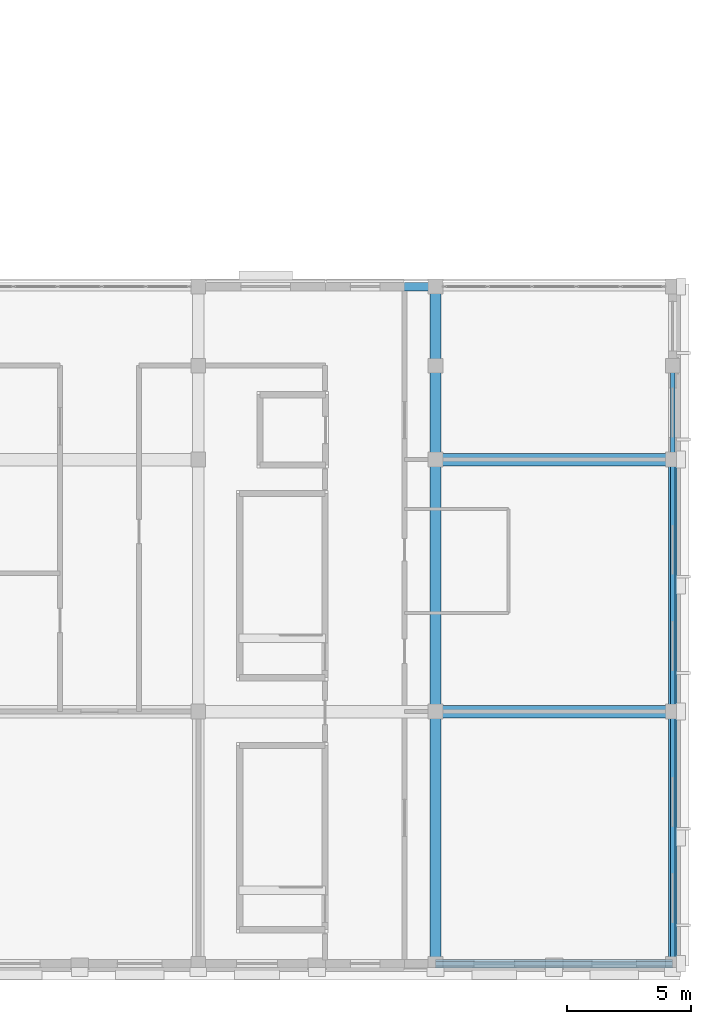
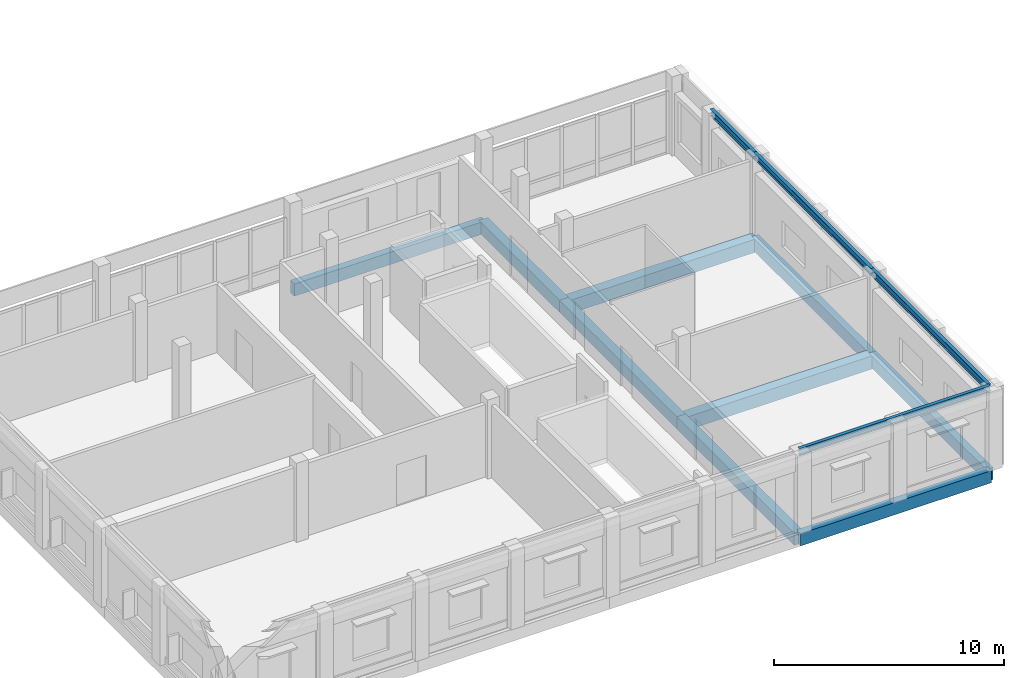
# One storey, part 59 of 93: 13 beams.
"""IFC4 building model written with IfcOpenShell, lengths in metres."""

import ifcopenshell
import ifcopenshell.guid

model = None  # the IFC model being written
_history = None  # IfcOwnerHistory: only IFC2X3 demands one
_inside = {}  # id of a spatial element -> (the spatial element, [elements in it])
_under = {}  # id of a project, library or spatial element -> (it, [spatial elements below it])
_declared = {}  # id of a project -> (the project, [libraries it declares])
_typed = {}  # id of a type object -> (the type object, [elements of that type])
_made_of = {}  # id of a material, layer set ... -> (it, [elements and type objects made of it])


def new_model(schema):
    """Start an empty IFC model of exactly this schema.

    Asked for "IFC4X3", IfcOpenShell would pick the latest addendum, in which some entities
    have other attributes; the version numbers below select the first issue.
    IFC2X3 requires an IfcOwnerHistory on every rooted entity: one is made here for all.
    """
    global model, _history
    if schema == "IFC4X3":
        model = ifcopenshell.file(schema_version=(4, 3, 0, 0))
    else:
        model = ifcopenshell.file(schema=schema)
    _inside.clear()
    _under.clear()
    _declared.clear()
    _typed.clear()
    _made_of.clear()
    _history = None
    if model.schema == "IFC2X3":
        org = make("IfcOrganization", Name="unknown")
        user = make(
            "IfcPersonAndOrganization",
            ThePerson=make("IfcPerson", FamilyName="unknown"),
            TheOrganization=org,
        )
        app = make(
            "IfcApplication",
            ApplicationDeveloper=org,
            Version="unknown",
            ApplicationFullName="unknown",
            ApplicationIdentifier="unknown",
        )
        _history = make(
            "IfcOwnerHistory",
            OwningUser=user,
            OwningApplication=app,
            ChangeAction="ADDED",
            CreationDate=0,
        )
    return model


def make(cls, **values):
    """One entity of the class cls with the attributes given. An attribute that is None is left unset."""
    return model.create_entity(
        cls, **{name: value for name, value in values.items() if value is not None}
    )


def rooted(cls, **values):
    """An entity with a GlobalId (a new one), such as an element, a storey or a relation."""
    return make(cls, GlobalId=ifcopenshell.guid.new(), OwnerHistory=_history, **values)


def si_unit(unit_type, name, prefix=None):
    """IfcSIUnit, for example si_unit("LENGTHUNIT", "METRE", prefix="MILLI")."""
    return make("IfcSIUnit", UnitType=unit_type, Prefix=prefix, Name=name)


def assignment(units):
    """IfcUnitAssignment: the units of a project."""
    return None if units is None else make("IfcUnitAssignment", Units=units)


def point(xyz):
    """IfcCartesianPoint."""
    return None if xyz is None else make("IfcCartesianPoint", Coordinates=xyz)


def direction(xyz):
    """IfcDirection."""
    return None if xyz is None else make("IfcDirection", DirectionRatios=xyz)


def frame(location, z_axis=None, x_axis=None):
    """IfcAxis2Placement3D, a coordinate frame: its origin and axes. An axis left out is left unset."""
    return make(
        "IfcAxis2Placement3D",
        Location=point(location),
        Axis=direction(z_axis),
        RefDirection=direction(x_axis),
    )


def frame_2d(location, x_axis=None):
    """IfcAxis2Placement2D, a coordinate frame in the plane: its origin and x axis."""
    return make(
        "IfcAxis2Placement2D", Location=point(location), RefDirection=direction(x_axis)
    )


def origin():
    """The frame at (0, 0, 0) with its axes left unset."""
    return frame((0.0, 0.0, 0.0))


def origin_2d():
    """The frame at (0, 0) in the plane with its x axis left unset."""
    return frame_2d((0.0, 0.0))


def place(relative_to, where):
    """IfcLocalPlacement: puts the frame where relative to a parent placement (None: the world)."""
    return make(
        "IfcLocalPlacement", PlacementRelTo=relative_to, RelativePlacement=where
    )


def context(
    kind, dimensions, precision=None, world=None, true_north=None, identifier=None
):
    """IfcGeometricRepresentationContext, for example the 3D "Model" context."""
    return make(
        "IfcGeometricRepresentationContext",
        ContextIdentifier=identifier,
        ContextType=kind,
        CoordinateSpaceDimension=dimensions,
        Precision=precision,
        WorldCoordinateSystem=world,
        TrueNorth=true_north,
    )


def subcontext(parent, identifier, kind, view, scale=None):
    """IfcGeometricRepresentationSubContext, for example "Body" below "Model"."""
    return make(
        "IfcGeometricRepresentationSubContext",
        ContextIdentifier=identifier,
        ContextType=kind,
        ParentContext=parent,
        TargetScale=scale,
        TargetView=view,
    )


def project(units=None, contexts=None):
    """IfcProject with its units and contexts."""
    return rooted(
        "IfcProject",
        Name="project",
        RepresentationContexts=contexts,
        UnitsInContext=assignment(units),
    )


def spatial(cls, under=None, at=None, **own):
    """A site, building, storey or space (cls), placed at a placement, below another one or the project."""
    s = rooted(cls, ObjectPlacement=at, **own)
    if under is not None:
        _under.setdefault(under.id(), (under, []))[1].append(s)
    return s


def profile(cls, at=None, kind="AREA", **sizes):
    """A parametric profile (cls). Its sizes go by their IFC names, for example OverallWidth=200.0."""
    return make(cls, ProfileType=kind, Position=at, **sizes)


def rectangle(**sizes):
    """IfcRectangleProfileDef."""
    return profile("IfcRectangleProfileDef", **sizes)


def i_section(**sizes):
    """IfcIShapeProfileDef."""
    return profile("IfcIShapeProfileDef", **sizes)


def extrude(swept, where, along, depth):
    """IfcExtrudedAreaSolid: the profile swept, set in the frame where, extruded along a direction by depth."""
    return make(
        "IfcExtrudedAreaSolid",
        SweptArea=swept,
        Position=where,
        ExtrudedDirection=direction(along),
        Depth=depth,
    )


def shape(context_of_items, identifier, shape_type, items):
    """IfcShapeRepresentation: the items that make up one representation, for example the "Body"."""
    return make(
        "IfcShapeRepresentation",
        ContextOfItems=context_of_items,
        RepresentationIdentifier=identifier,
        RepresentationType=shape_type,
        Items=items,
    )


def material(Name=None, Category=None):
    """IfcMaterial."""
    return make("IfcMaterial", Name=Name, Category=Category)


def material_profile(
    of_material, cross_section, Name=None, Category=None, Priority=None
):
    """IfcMaterialProfile: a cross section and its material."""
    return make(
        "IfcMaterialProfile",
        Name=Name,
        Material=of_material,
        Profile=cross_section,
        Priority=Priority,
        Category=Category,
    )


def profile_set(profiles, Name=None, composite=None):
    """IfcMaterialProfileSet."""
    return make(
        "IfcMaterialProfileSet",
        Name=Name,
        MaterialProfiles=profiles,
        CompositeProfile=composite,
    )


def made_of(thing, what):
    """Note that an element or type object is made of a material, layer set ...; save() writes the relation."""
    if what is not None:
        _made_of.setdefault(what.id(), (what, []))[1].append(thing)
    return thing


def type_object(cls, material=None, **own):
    """A type object (cls), such as IfcWallType, which elements share."""
    return made_of(rooted(cls, **own), material)


def element(
    cls,
    number,
    at=None,
    inside=None,
    cuts=None,
    type_object=None,
    material=None,
    context=None,
    identifier="Body",
    shape_type=None,
    held_by="IfcProductDefinitionShape",
    body=None,
    shapes=None,
    **own,
):
    """One element of the class cls, such as IfcWall. Its Tag is "e" and its number.

    at: its placement. inside: the storey or other place that contains it. cuts: it is an
    opening in that element (IfcRelVoidsElement). A single representation is given by context,
    identifier, shape_type and body (its items); several are given by shapes. held_by: the class
    of the entity that holds the representations. save() writes the other relations.
    """
    e = rooted(cls, Tag="e%d" % number, ObjectPlacement=at, **own)
    if body is not None:
        shapes = [shape(context, identifier, shape_type, body)]
    if shapes is not None:
        e.Representation = make(held_by, Representations=shapes)
    if inside is not None:
        _inside.setdefault(inside.id(), (inside, []))[1].append(e)
    if cuts is not None:
        rooted(
            "IfcRelVoidsElement", RelatingBuildingElement=cuts, RelatedOpeningElement=e
        )
    if type_object is not None:
        _typed.setdefault(type_object.id(), (type_object, []))[1].append(e)
    return made_of(e, material)


def aggregate(whole, parts):
    """IfcRelAggregates: a whole, such as a stair, and the parts it consists of."""
    return rooted("IfcRelAggregates", RelatingObject=whole, RelatedObjects=parts)


def save(model, path):
    """Write the relations noted so far, then the file.

    IfcRelAggregates (storeys below a building ...), IfcRelContainedInSpatialStructure (elements
    in a storey), IfcRelDefinesByType, IfcRelAssociatesMaterial and IfcRelDeclares: one each for
    every whole, place, type object, material and project.
    """
    for whole, parts in _under.values():
        aggregate(whole, parts)
    for where, things in _inside.values():
        rooted(
            "IfcRelContainedInSpatialStructure",
            RelatedElements=things,
            RelatingStructure=where,
        )
    for kind, things in _typed.values():
        rooted("IfcRelDefinesByType", RelatedObjects=things, RelatingType=kind)
    for what, things in _made_of.values():
        rooted("IfcRelAssociatesMaterial", RelatedObjects=things, RelatingMaterial=what)
    for by, libraries in _declared.values():
        rooted("IfcRelDeclares", RelatingContext=by, RelatedDefinitions=libraries)
    model.write(path)


model = new_model("IFC4")

# Units and contexts
model_context = context("Model", 3, precision=1e-05, world=origin(), true_north=direction((0.0, 1.0)))
body_context = subcontext(model_context, "Body", "Model", "MODEL_VIEW")
ifc_project = project(units=[si_unit("LENGTHUNIT", "METRE"), si_unit("AREAUNIT", "SQUARE_METRE"), si_unit("VOLUMEUNIT", "CUBIC_METRE"), si_unit("PLANEANGLEUNIT", "RADIAN"), si_unit("MASSUNIT", "GRAM", prefix="KILO")], contexts=[model_context])

# Site, building, storey
site_placement = place(None, origin())
site = spatial("IfcSite", under=ifc_project, at=site_placement, CompositionType="ELEMENT")
building_placement = place(site_placement, origin())
building = spatial("IfcBuilding", under=site, at=building_placement, Name="Vondelvale Polytechnic", CompositionType="ELEMENT")
storey_placement = place(building_placement, frame((0.0, 0.0, 18.0)))
storey = spatial("IfcBuildingStorey", under=building, at=storey_placement, Name="L04", CompositionType="ELEMENT", Elevation=18.0)

# Beams
ifc_material_1 = material(Name="Concrete N40 (f'c = 40 MPa)", Category="concrete")
ifc_material_profile_1 = material_profile(ifc_material_1, rectangle(XDim=0.449951171875, YDim=0.64990234375, at=origin_2d()), Name="RC-BM-450x650")
ifc_profile_set_1 = profile_set([ifc_material_profile_1], Name="Concrete N40 (f'c = 40 MPa)")
beam_type_1 = type_object("IfcBeamType", Name="BM-RC450x650", PredefinedType="BEAM", material=ifc_profile_set_1)
for number, where, z_axis, x_axis, name in (
    (1, (163.199951171875, 0.0, -0.574951171875), (0.0, 1.0, 0.0), (-1.0, 0.0, 0.0), "L04 B B-04"),
    (2, (163.199951171875, 10.199951171875, -0.574951171875), (0.0, 1.0, 0.0), (-1.0, 0.0, 0.0), "L04 B B-04"),
):
    element("IfcBeam", number, at=place(storey_placement, frame(where, z_axis=z_axis, x_axis=x_axis)), inside=storey, type_object=beam_type_1, Name=name, PredefinedType="BEAM", context=body_context, shape_type="SweptSolid", body=[
        extrude(rectangle(XDim=0.449951171875, YDim=0.64990234375, at=origin_2d()), origin(), (0.0, 0.0, 1.0), 10.199951171875),
    ])
beam_1_placement = place(storey_placement, frame((163.199951171875, 20.39990234375, -0.574951171875), z_axis=(0.0, 1.0, 0.0), x_axis=(-1.0, 0.0, 0.0)))
element("IfcBeam", 3, at=beam_1_placement, inside=storey, type_object=beam_type_1, Name="L04 B B-04", PredefinedType="BEAM", context=body_context, shape_type="SweptSolid", body=[
    extrude(rectangle(XDim=0.449951171875, YDim=0.64990234375, at=origin_2d()), origin(), (0.0, 0.0, 1.0), 7.0),
])
ifc_material_profile_2 = material_profile(ifc_material_1, rectangle(XDim=0.5, YDim=0.699951171875, at=origin_2d()), Name="RC-BM-500x700")
ifc_profile_set_2 = profile_set([ifc_material_profile_2], Name="Concrete N40 (f'c = 40 MPa)")
beam_type_2 = type_object("IfcBeamType", Name="BM-RC500x700", PredefinedType="BEAM", material=ifc_profile_set_2)
for number, where, z_axis, x_axis, name in (
    (4, (163.199951171875, 10.199951171875, -0.60009765625), (1.0, 0.0, 0.0), (0.0, 1.0, 0.0), "L04 B B-03"),
    (5, (163.199951171875, 20.39990234375, -0.60009765625), (1.0, 0.0, 0.0), (0.0, 1.0, 0.0), "L04 B B-03"),
):
    element("IfcBeam", number, at=place(storey_placement, frame(where, z_axis=z_axis, x_axis=x_axis)), inside=storey, type_object=beam_type_2, Name=name, PredefinedType="BEAM", context=body_context, shape_type="SweptSolid", body=[
        extrude(rectangle(XDim=0.5, YDim=0.699951171875, at=origin_2d()), origin(), (0.0, 0.0, 1.0), 9.60009765625),
    ])
ifc_material_2 = material(Name="Steel 300PLUS (fy = 300 MPa)", Category="steel")
ifc_material_profile_3 = material_profile(ifc_material_2, i_section(OverallWidth=0.172119140625, OverallDepth=0.35888671875, WebThickness=0.008056640625, FlangeThickness=0.012939453125, FilletRadius=0.011474609375, at=origin_2d()), Name="360UB56.7")
ifc_profile_set_3 = profile_set([ifc_material_profile_3], Name="Steel 300PLUS (fy = 300 MPa)")
beam_type_3 = type_object("IfcBeamType", Name="BM-UB360H", PredefinedType="BEAM", material=ifc_profile_set_3)
beam_2_placement = place(storey_placement, frame((163.199951171875, 0.0, 4.0205078125), z_axis=(1.0, 0.0, 0.0), x_axis=(0.0, 1.0, 0.0)))
element("IfcBeam", 6, at=beam_2_placement, inside=storey, type_object=beam_type_3, Name="L04 RE B-15", PredefinedType="BEAM", context=body_context, shape_type="SweptSolid", body=[
    extrude(i_section(OverallWidth=0.172119140625, OverallDepth=0.35888671875, WebThickness=0.008056640625, FlangeThickness=0.012939453125, FilletRadius=0.011474609375, at=origin_2d()), origin(), (0.0, 0.0, 1.0), 9.60009765625),
])
for number, where, z_axis, x_axis, name in (
    (7, (172.800048828125, 0.0, 4.0205078125), (0.0, 1.0, 0.0), (-1.0, 0.0, 0.0), "L04 RE B-15"),
    (8, (172.800048828125, 10.199951171875, 4.0205078125), (0.0, 1.0, 0.0), (-1.0, 0.0, 0.0), "L04 RE B-15"),
):
    element("IfcBeam", number, at=place(storey_placement, frame(where, z_axis=z_axis, x_axis=x_axis)), inside=storey, type_object=beam_type_3, Name=name, PredefinedType="BEAM", context=body_context, shape_type="SweptSolid", body=[
        extrude(i_section(OverallWidth=0.172119140625, OverallDepth=0.35888671875, WebThickness=0.008056640625, FlangeThickness=0.012939453125, FilletRadius=0.011474609375, at=origin_2d()), origin(), (0.0, 0.0, 1.0), 10.199951171875),
    ])
beam_3_placement = place(storey_placement, frame((172.800048828125, 20.39990234375, 4.0205078125), z_axis=(0.0, 1.0, 0.0), x_axis=(-1.0, 0.0, 0.0)))
element("IfcBeam", 9, at=beam_3_placement, inside=storey, type_object=beam_type_3, Name="L04 RE B-15", PredefinedType="BEAM", context=body_context, shape_type="SweptSolid", body=[
    extrude(i_section(OverallWidth=0.172119140625, OverallDepth=0.35888671875, WebThickness=0.008056640625, FlangeThickness=0.012939453125, FilletRadius=0.011474609375, at=origin_2d()), origin(), (0.0, 0.0, 1.0), 3.800048828125),
])
ifc_material_3 = material(Name="Precast concrete N40 (f'c = 40 MPa)", Category="concrete")
ifc_material_profile_4 = material_profile(ifc_material_3, rectangle(XDim=0.35009765625, YDim=0.64990234375, at=origin_2d()), Name="RC-SPN-350x650")
ifc_profile_set_4 = profile_set([ifc_material_profile_4], Name="Precast concrete N40 (f'c = 40 MPa)")
beam_type_4 = type_object("IfcBeamType", Name="SPN-PRE350x650", PredefinedType="SPANDREL", material=ifc_profile_set_4)
beam_4_placement = place(storey_placement, frame((163.199951171875, 0.0, -0.574951171875), z_axis=(1.0, 0.0, 0.0), x_axis=(0.0, 1.0, 0.0)))
element("IfcBeam", 10, at=beam_4_placement, inside=storey, type_object=beam_type_4, Name="L04 B SP-02", PredefinedType="SPANDREL", context=body_context, shape_type="SweptSolid", body=[
    extrude(rectangle(XDim=0.35009765625, YDim=0.64990234375, at=origin_2d()), origin(), (0.0, 0.0, 1.0), 9.60009765625),
])
beam_5_placement = place(storey_placement, frame((153.60009765625, 27.39990234375, -0.574951171875), z_axis=(1.0, 0.0, 0.0), x_axis=(0.0, 1.0, 0.0)))
element("IfcBeam", 11, at=beam_5_placement, inside=storey, type_object=beam_type_4, Name="L04 B SP-02", PredefinedType="SPANDREL", context=body_context, shape_type="SweptSolid", body=[
    extrude(rectangle(XDim=0.35009765625, YDim=0.64990234375, at=origin_2d()), origin(), (0.0, 0.0, 1.0), 9.599853515625),
])
for number, where, z_axis, x_axis, name in (
    (12, (172.800048828125, 0.0, -0.574951171875), (0.0, 1.0, 0.0), (-1.0, 0.0, 0.0), "L04 B SP-02"),
    (13, (172.800048828125, 10.199951171875, -0.574951171875), (0.0, 1.0, 0.0), (-1.0, 0.0, 0.0), "L04 B SP-02"),
):
    element("IfcBeam", number, at=place(storey_placement, frame(where, z_axis=z_axis, x_axis=x_axis)), inside=storey, type_object=beam_type_4, Name=name, PredefinedType="SPANDREL", context=body_context, shape_type="SweptSolid", body=[
        extrude(rectangle(XDim=0.35009765625, YDim=0.64990234375, at=origin_2d()), origin(), (0.0, 0.0, 1.0), 10.199951171875),
    ])

save(model, "model.ifc")
